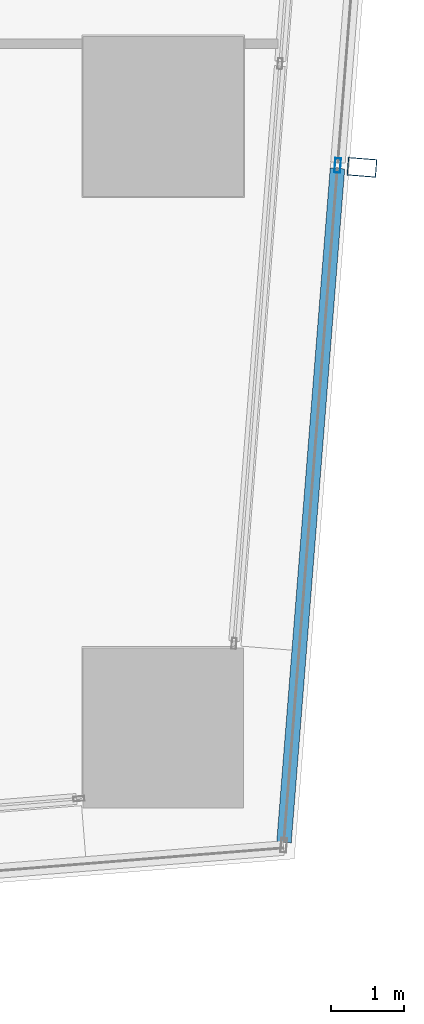
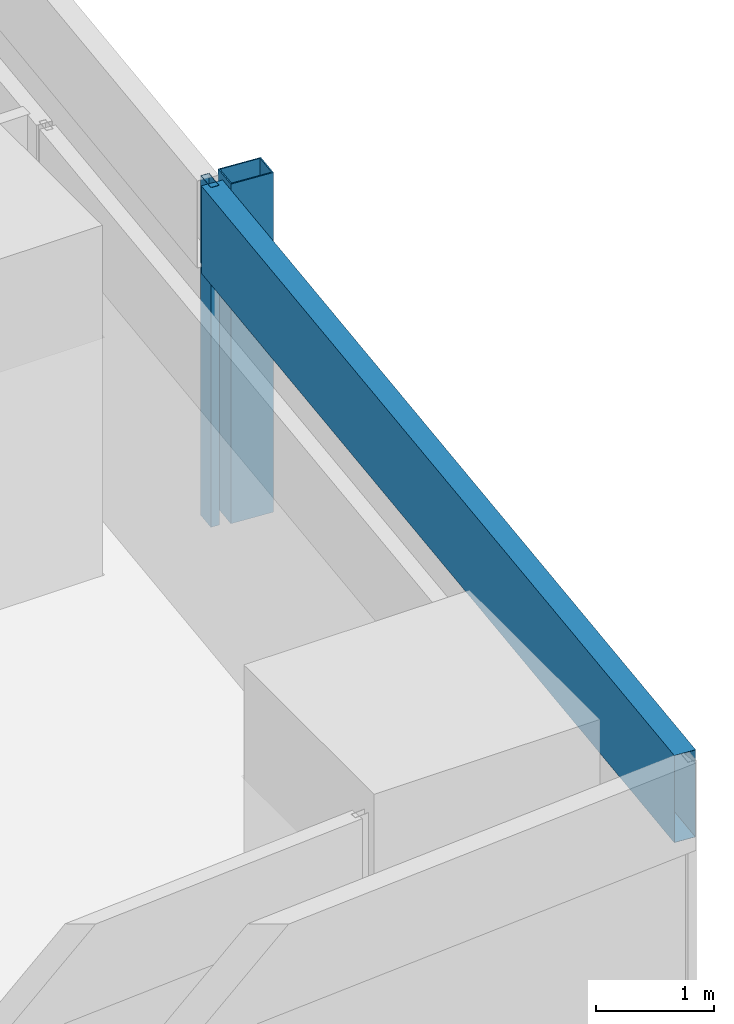
# One storey, part 23 of 42: 3 members, 1 element without a shape of its own.
"""IFC4 building model written with IfcOpenShell, lengths in metres."""

from ifc_helpers import new_model, si_unit, direction, frame, origin, origin_2d, place, context, subcontext, project, spatial, hollow_rectangle, extrude, material, material_profile, profile_set, type_object, element, aggregate, save


model = new_model("IFC4")

# Units and contexts
model_context = context("Model", 3, precision=1e-05, world=origin(), true_north=direction((0.0, 1.0)))
body_context = subcontext(model_context, "Body", "Model", "MODEL_VIEW")
ifc_project = project(units=[si_unit("LENGTHUNIT", "METRE"), si_unit("AREAUNIT", "SQUARE_METRE"), si_unit("VOLUMEUNIT", "CUBIC_METRE"), si_unit("PLANEANGLEUNIT", "RADIAN"), si_unit("MASSUNIT", "GRAM", prefix="KILO")], contexts=[model_context])

# Site, building, storey
site_placement = place(None, origin())
site = spatial("IfcSite", under=ifc_project, at=site_placement, CompositionType="ELEMENT")
building_placement = place(site_placement, origin())
building = spatial("IfcBuilding", under=site, at=building_placement, Name="Rekha Terrace Tower", CompositionType="ELEMENT")
storey_placement = place(building_placement, frame((0.0, 0.0, 55.39990234375)))
storey = spatial("IfcBuildingStorey", under=building, at=storey_placement, Name="L13", CompositionType="ELEMENT", Elevation=55.39990234375)

# Curtain wall, members
ifc_material_1 = material(Name="Aluminium framing", Category="aluminium")
curtain_wall_type = type_object("IfcCurtainWallType", Name="CW2 double skin outer glazing", PredefinedType="USERDEFINED", material=ifc_material_1)
curtain_wall_placement = place(storey_placement, origin())
curtain_wall = element("IfcCurtainWall", 1, at=curtain_wall_placement, inside=storey, type_object=curtain_wall_type, Name="CW2 double skin outer glazing", ObjectType="DOUBLE SKIN OUTER GLAZING", PredefinedType="USERDEFINED")
ifc_material_2 = material(Name="Steel S355 with fluorocarbon finish", Category="steel")
ifc_material_profile_1 = material_profile(ifc_material_2, hollow_rectangle(XDim=0.25, YDim=0.39990234375, WallThickness=0.012451171875, at=origin_2d()), Name="RHS400x250x12.5")
ifc_profile_set_1 = profile_set([ifc_material_profile_1], Name="Steel S355 with fluorocarbon finish")
member_type_1 = type_object("IfcMemberType", Name="BL1 facade blade RHS 400 x 250", PredefinedType="USERDEFINED", material=ifc_profile_set_1)
member_1_placement = place(storey_placement, frame((69.929443359375, 16.099365234375, 0.0), z_axis=(0.0, 0.0, 1.0), x_axis=(0.079116779322, 0.996865354614, 0.0)))
member_1 = element("IfcMember", 2, at=member_1_placement, type_object=member_type_1, Name="Facade blade", ObjectType="FACADE BLADE", PredefinedType="USERDEFINED", context=body_context, shape_type="SweptSolid", body=[
    extrude(hollow_rectangle(XDim=0.25, YDim=0.39990234375, WallThickness=0.012451171875, at=origin_2d()), origin(), (0.0, 0.0, 1.0), 3.5),
])
ifc_material_3 = material(Name="Aluminium mullion section", Category="aluminium")
ifc_material_profile_2 = material_profile(ifc_material_3, hollow_rectangle(XDim=0.080078125, YDim=0.199951171875, WallThickness=0.00390625, at=origin_2d()), Name="AL RHS 80x200")
ifc_profile_set_2 = profile_set([ifc_material_profile_2], Name="Aluminium mullion section")
member_type_2 = type_object("IfcMemberType", Name="CW2 mullion RHS 80 x 200", PredefinedType="MULLION", material=ifc_profile_set_2)
member_2_placement = place(storey_placement, frame((69.595458984375, 16.125732421875, 0.0), z_axis=(0.0, 0.0, 1.0), x_axis=(-0.996865392575, 0.079116301017, 0.0)))
member_2 = element("IfcMember", 3, at=member_2_placement, type_object=member_type_2, Name="CW2 mullion 2", PredefinedType="MULLION", context=body_context, shape_type="SweptSolid", body=[
    extrude(hollow_rectangle(XDim=0.080078125, YDim=0.199951171875, WallThickness=0.00390625, at=origin_2d()), origin(), (0.0, 0.0, 1.0), 3.5),
])
ifc_material_4 = material(Name="Insulated aluminium spandrel box", Category="aluminium")
ifc_material_profile_3 = material_profile(ifc_material_4, hollow_rectangle(XDim=0.199951171875, YDim=0.89990234375, WallThickness=0.0029296875, at=origin_2d()), Name="AL SPANDREL BOX 200x900")
ifc_profile_set_3 = profile_set([ifc_material_profile_3], Name="Insulated aluminium spandrel box")
member_type_3 = type_object("IfcMemberType", Name="CW2 spandrel transom 200 x 900", PredefinedType="USERDEFINED", material=ifc_profile_set_3)
member_3_placement = place(storey_placement, frame((68.857666015625, 6.828369140625, 3.050048828125), z_axis=(0.079104689968, 0.996866314019, 0.0), x_axis=(-0.996866314019, 0.079104689968, 0.0)))
member_3 = element("IfcMember", 4, at=member_3_placement, type_object=member_type_3, Name="CW2 spandrel transom 1", ObjectType="TRANSOM", PredefinedType="USERDEFINED", context=body_context, shape_type="SweptSolid", body=[
    extrude(hollow_rectangle(XDim=0.199951171875, YDim=0.89990234375, WallThickness=0.0029296875, at=origin_2d()), origin(), (0.0, 0.0, 1.0), 9.28662109375),
])
aggregate(curtain_wall, [member_2, member_3, member_1])

save(model, "model.ifc")
